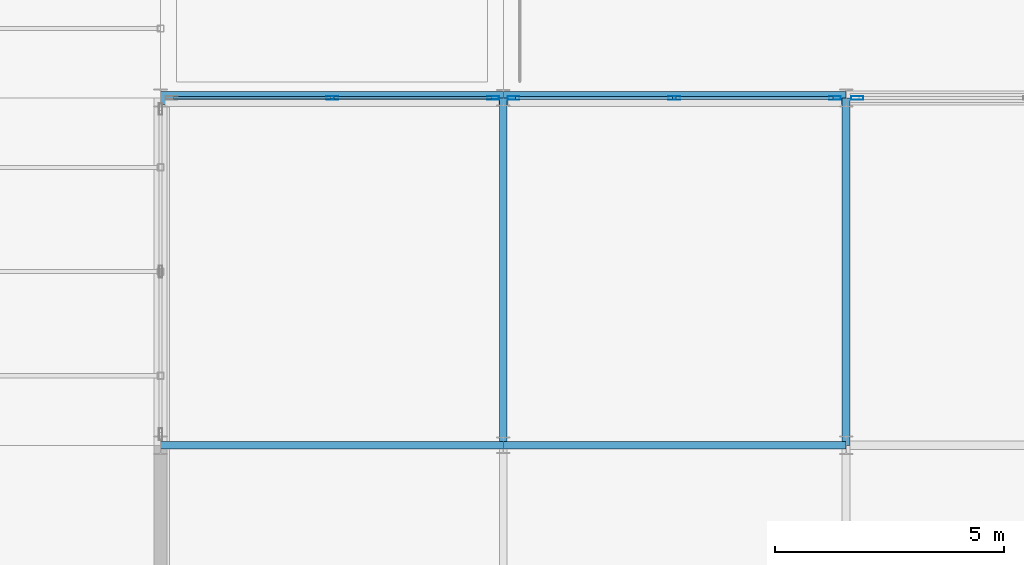
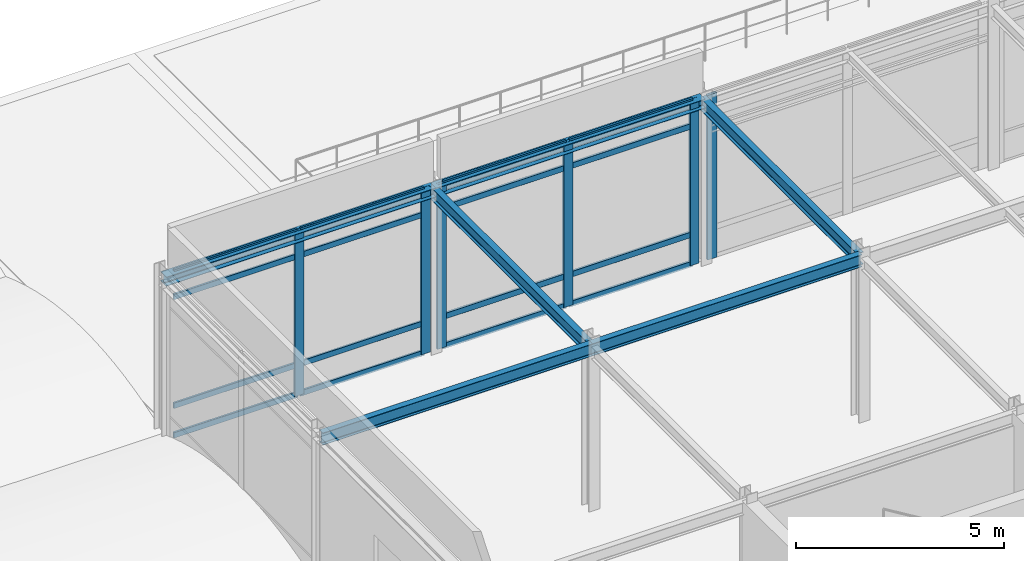
# One storey, part 37 of 79: 22 members, 6 beams, 3 elements without a shape of their own.
"""IFC4 building model written with IfcOpenShell, lengths in metres."""

import ifcopenshell
import ifcopenshell.guid

model = None  # the IFC model being written
_history = None  # IfcOwnerHistory: only IFC2X3 demands one
_inside = {}  # id of a spatial element -> (the spatial element, [elements in it])
_under = {}  # id of a project, library or spatial element -> (it, [spatial elements below it])
_declared = {}  # id of a project -> (the project, [libraries it declares])
_typed = {}  # id of a type object -> (the type object, [elements of that type])
_made_of = {}  # id of a material, layer set ... -> (it, [elements and type objects made of it])


def new_model(schema):
    """Start an empty IFC model of exactly this schema.

    Asked for "IFC4X3", IfcOpenShell would pick the latest addendum, in which some entities
    have other attributes; the version numbers below select the first issue.
    IFC2X3 requires an IfcOwnerHistory on every rooted entity: one is made here for all.
    """
    global model, _history
    if schema == "IFC4X3":
        model = ifcopenshell.file(schema_version=(4, 3, 0, 0))
    else:
        model = ifcopenshell.file(schema=schema)
    _inside.clear()
    _under.clear()
    _declared.clear()
    _typed.clear()
    _made_of.clear()
    _history = None
    if model.schema == "IFC2X3":
        org = make("IfcOrganization", Name="unknown")
        user = make(
            "IfcPersonAndOrganization",
            ThePerson=make("IfcPerson", FamilyName="unknown"),
            TheOrganization=org,
        )
        app = make(
            "IfcApplication",
            ApplicationDeveloper=org,
            Version="unknown",
            ApplicationFullName="unknown",
            ApplicationIdentifier="unknown",
        )
        _history = make(
            "IfcOwnerHistory",
            OwningUser=user,
            OwningApplication=app,
            ChangeAction="ADDED",
            CreationDate=0,
        )
    return model


def make(cls, **values):
    """One entity of the class cls with the attributes given. An attribute that is None is left unset."""
    return model.create_entity(
        cls, **{name: value for name, value in values.items() if value is not None}
    )


def rooted(cls, **values):
    """An entity with a GlobalId (a new one), such as an element, a storey or a relation."""
    return make(cls, GlobalId=ifcopenshell.guid.new(), OwnerHistory=_history, **values)


def si_unit(unit_type, name, prefix=None):
    """IfcSIUnit, for example si_unit("LENGTHUNIT", "METRE", prefix="MILLI")."""
    return make("IfcSIUnit", UnitType=unit_type, Prefix=prefix, Name=name)


def assignment(units):
    """IfcUnitAssignment: the units of a project."""
    return None if units is None else make("IfcUnitAssignment", Units=units)


def point(xyz):
    """IfcCartesianPoint."""
    return None if xyz is None else make("IfcCartesianPoint", Coordinates=xyz)


def direction(xyz):
    """IfcDirection."""
    return None if xyz is None else make("IfcDirection", DirectionRatios=xyz)


def frame(location, z_axis=None, x_axis=None):
    """IfcAxis2Placement3D, a coordinate frame: its origin and axes. An axis left out is left unset."""
    return make(
        "IfcAxis2Placement3D",
        Location=point(location),
        Axis=direction(z_axis),
        RefDirection=direction(x_axis),
    )


def frame_2d(location, x_axis=None):
    """IfcAxis2Placement2D, a coordinate frame in the plane: its origin and x axis."""
    return make(
        "IfcAxis2Placement2D", Location=point(location), RefDirection=direction(x_axis)
    )


def origin():
    """The frame at (0, 0, 0) with its axes left unset."""
    return frame((0.0, 0.0, 0.0))


def origin_2d():
    """The frame at (0, 0) in the plane with its x axis left unset."""
    return frame_2d((0.0, 0.0))


def place(relative_to, where):
    """IfcLocalPlacement: puts the frame where relative to a parent placement (None: the world)."""
    return make(
        "IfcLocalPlacement", PlacementRelTo=relative_to, RelativePlacement=where
    )


def context(
    kind, dimensions, precision=None, world=None, true_north=None, identifier=None
):
    """IfcGeometricRepresentationContext, for example the 3D "Model" context."""
    return make(
        "IfcGeometricRepresentationContext",
        ContextIdentifier=identifier,
        ContextType=kind,
        CoordinateSpaceDimension=dimensions,
        Precision=precision,
        WorldCoordinateSystem=world,
        TrueNorth=true_north,
    )


def subcontext(parent, identifier, kind, view, scale=None):
    """IfcGeometricRepresentationSubContext, for example "Body" below "Model"."""
    return make(
        "IfcGeometricRepresentationSubContext",
        ContextIdentifier=identifier,
        ContextType=kind,
        ParentContext=parent,
        TargetScale=scale,
        TargetView=view,
    )


def project(units=None, contexts=None):
    """IfcProject with its units and contexts."""
    return rooted(
        "IfcProject",
        Name="project",
        RepresentationContexts=contexts,
        UnitsInContext=assignment(units),
    )


def spatial(cls, under=None, at=None, **own):
    """A site, building, storey or space (cls), placed at a placement, below another one or the project."""
    s = rooted(cls, ObjectPlacement=at, **own)
    if under is not None:
        _under.setdefault(under.id(), (under, []))[1].append(s)
    return s


def profile(cls, at=None, kind="AREA", **sizes):
    """A parametric profile (cls). Its sizes go by their IFC names, for example OverallWidth=200.0."""
    return make(cls, ProfileType=kind, Position=at, **sizes)


def hollow_rectangle(**sizes):
    """IfcRectangleHollowProfileDef."""
    return profile("IfcRectangleHollowProfileDef", **sizes)


def i_section(**sizes):
    """IfcIShapeProfileDef."""
    return profile("IfcIShapeProfileDef", **sizes)


def extrude(swept, where, along, depth):
    """IfcExtrudedAreaSolid: the profile swept, set in the frame where, extruded along a direction by depth."""
    return make(
        "IfcExtrudedAreaSolid",
        SweptArea=swept,
        Position=where,
        ExtrudedDirection=direction(along),
        Depth=depth,
    )


def shape(context_of_items, identifier, shape_type, items):
    """IfcShapeRepresentation: the items that make up one representation, for example the "Body"."""
    return make(
        "IfcShapeRepresentation",
        ContextOfItems=context_of_items,
        RepresentationIdentifier=identifier,
        RepresentationType=shape_type,
        Items=items,
    )


def material(Name=None, Category=None):
    """IfcMaterial."""
    return make("IfcMaterial", Name=Name, Category=Category)


def layer(
    of_material, thickness, ventilated=None, Name=None, Category=None, Priority=None
):
    """IfcMaterialLayer: one layer of a wall or slab, of a material (None: an air gap)."""
    return make(
        "IfcMaterialLayer",
        Material=of_material,
        LayerThickness=thickness,
        IsVentilated=ventilated,
        Name=Name,
        Category=Category,
        Priority=Priority,
    )


def layer_set(layers, Name=None):
    """IfcMaterialLayerSet."""
    return make("IfcMaterialLayerSet", MaterialLayers=layers, LayerSetName=Name)


def material_profile(
    of_material, cross_section, Name=None, Category=None, Priority=None
):
    """IfcMaterialProfile: a cross section and its material."""
    return make(
        "IfcMaterialProfile",
        Name=Name,
        Material=of_material,
        Profile=cross_section,
        Priority=Priority,
        Category=Category,
    )


def profile_set(profiles, Name=None, composite=None):
    """IfcMaterialProfileSet."""
    return make(
        "IfcMaterialProfileSet",
        Name=Name,
        MaterialProfiles=profiles,
        CompositeProfile=composite,
    )


def made_of(thing, what):
    """Note that an element or type object is made of a material, layer set ...; save() writes the relation."""
    if what is not None:
        _made_of.setdefault(what.id(), (what, []))[1].append(thing)
    return thing


def type_object(cls, material=None, **own):
    """A type object (cls), such as IfcWallType, which elements share."""
    return made_of(rooted(cls, **own), material)


def element(
    cls,
    number,
    at=None,
    inside=None,
    cuts=None,
    type_object=None,
    material=None,
    context=None,
    identifier="Body",
    shape_type=None,
    held_by="IfcProductDefinitionShape",
    body=None,
    shapes=None,
    **own,
):
    """One element of the class cls, such as IfcWall. Its Tag is "e" and its number.

    at: its placement. inside: the storey or other place that contains it. cuts: it is an
    opening in that element (IfcRelVoidsElement). A single representation is given by context,
    identifier, shape_type and body (its items); several are given by shapes. held_by: the class
    of the entity that holds the representations. save() writes the other relations.
    """
    e = rooted(cls, Tag="e%d" % number, ObjectPlacement=at, **own)
    if body is not None:
        shapes = [shape(context, identifier, shape_type, body)]
    if shapes is not None:
        e.Representation = make(held_by, Representations=shapes)
    if inside is not None:
        _inside.setdefault(inside.id(), (inside, []))[1].append(e)
    if cuts is not None:
        rooted(
            "IfcRelVoidsElement", RelatingBuildingElement=cuts, RelatedOpeningElement=e
        )
    if type_object is not None:
        _typed.setdefault(type_object.id(), (type_object, []))[1].append(e)
    return made_of(e, material)


def aggregate(whole, parts):
    """IfcRelAggregates: a whole, such as a stair, and the parts it consists of."""
    return rooted("IfcRelAggregates", RelatingObject=whole, RelatedObjects=parts)


def save(model, path):
    """Write the relations noted so far, then the file.

    IfcRelAggregates (storeys below a building ...), IfcRelContainedInSpatialStructure (elements
    in a storey), IfcRelDefinesByType, IfcRelAssociatesMaterial and IfcRelDeclares: one each for
    every whole, place, type object, material and project.
    """
    for whole, parts in _under.values():
        aggregate(whole, parts)
    for where, things in _inside.values():
        rooted(
            "IfcRelContainedInSpatialStructure",
            RelatedElements=things,
            RelatingStructure=where,
        )
    for kind, things in _typed.values():
        rooted("IfcRelDefinesByType", RelatedObjects=things, RelatingType=kind)
    for what, things in _made_of.values():
        rooted("IfcRelAssociatesMaterial", RelatedObjects=things, RelatingMaterial=what)
    for by, libraries in _declared.values():
        rooted("IfcRelDeclares", RelatingContext=by, RelatedDefinitions=libraries)
    model.write(path)


model = new_model("IFC4")

# Units and contexts
model_context = context("Model", 3, precision=1e-05, world=origin(), true_north=direction((0.0, 1.0)))
body_context = subcontext(model_context, "Body", "Model", "MODEL_VIEW")
ifc_project = project(units=[si_unit("LENGTHUNIT", "METRE"), si_unit("AREAUNIT", "SQUARE_METRE"), si_unit("VOLUMEUNIT", "CUBIC_METRE"), si_unit("PLANEANGLEUNIT", "RADIAN"), si_unit("MASSUNIT", "GRAM", prefix="KILO")], contexts=[model_context])

# Site, building, storey
site_placement = place(None, origin())
site = spatial("IfcSite", under=ifc_project, at=site_placement, CompositionType="ELEMENT")
building_placement = place(site_placement, origin())
building = spatial("IfcBuilding", under=site, at=building_placement, Name="Shalkamar Park Central Library", CompositionType="ELEMENT")
storey_placement = place(building_placement, frame((0.0, 0.0, 10.5)))
storey = spatial("IfcBuildingStorey", under=building, at=storey_placement, Name="L03", CompositionType="ELEMENT", Elevation=10.5)

# Curtain wall, members
ifc_material_1 = material(Name="Thermally broken aluminium and triple low-e curtain wall", Category="aluminium")
ifc_layer_1 = layer(ifc_material_1, 0.260009765625)
ifc_layer_set_1 = layer_set([ifc_layer_1], Name="UnitisedCurtainWall_23")
curtain_wall_type_1 = type_object("IfcCurtainWallType", Name="Unitised Curtain Wall 23", PredefinedType="USERDEFINED", material=ifc_layer_set_1)
curtain_wall_1_placement = place(storey_placement, origin())
curtain_wall_1 = element("IfcCurtainWall", 1, at=curtain_wall_1_placement, inside=storey, type_object=curtain_wall_type_1, Name="Unitised Curtain Wall CW-L03-047", ObjectType="UNITISED CURTAIN WALL", PredefinedType="USERDEFINED")
ifc_material_2 = material(Name="Aluminium 6060-T66", Category="aluminium")
ifc_material_profile_1 = material_profile(ifc_material_2, hollow_rectangle(XDim=0.074951171875, YDim=0.260009765625, WallThickness=0.00439453125, InnerFilletRadius=0.00439453125, OuterFilletRadius=0.0068359375, at=origin_2d()), Name="ALU 75x260x4.5")
ifc_profile_set_1 = profile_set([ifc_material_profile_1], Name="Aluminium 6060-T66")
member_type_1 = type_object("IfcMemberType", Name="Curtain Wall Mullion ALU75x260", PredefinedType="MULLION", material=ifc_profile_set_1)
member_1_placement = place(storey_placement, frame((153.760009765625, 323.60009765625, 0.0), z_axis=(0.0, 0.0, 1.0), x_axis=(0.0, 1.0, 0.0)))
member_1 = element("IfcMember", 2, at=member_1_placement, type_object=member_type_1, Name="CW-23 mullion 2", PredefinedType="MULLION", context=body_context, shape_type="SweptSolid", body=[
    extrude(hollow_rectangle(XDim=0.074951171875, YDim=0.260009765625, WallThickness=0.00439453125, InnerFilletRadius=0.00439453125, OuterFilletRadius=0.0068359375, at=origin_2d()), origin(), (0.0, 0.0, 1.0), 4.85009765625),
])
member_2_placement = place(storey_placement, frame((157.278564453125, 323.60009765625, 0.0), z_axis=(0.0, 0.0, 1.0), x_axis=(0.0, 1.0, 0.0)))
member_2 = element("IfcMember", 3, at=member_2_placement, type_object=member_type_1, Name="CW-23 mullion 3", PredefinedType="MULLION", context=body_context, shape_type="SweptSolid", body=[
    extrude(hollow_rectangle(XDim=0.074951171875, YDim=0.260009765625, WallThickness=0.00439453125, InnerFilletRadius=0.00439453125, OuterFilletRadius=0.0068359375, at=origin_2d()), origin(), (0.0, 0.0, 1.0), 4.85009765625),
])

ifc_layer_2 = layer(ifc_material_1, 0.2548828125)
ifc_layer_set_2 = layer_set([ifc_layer_2], Name="UnitisedCurtainWall_41")
curtain_wall_type_2 = type_object("IfcCurtainWallType", Name="Unitised Curtain Wall 41", PredefinedType="USERDEFINED", material=ifc_layer_set_2)
curtain_wall_2_placement = place(storey_placement, origin())
curtain_wall_2 = element("IfcCurtainWall", 4, at=curtain_wall_2_placement, inside=storey, type_object=curtain_wall_type_2, Name="Unitised Curtain Wall CW-L03-048", ObjectType="UNITISED CURTAIN WALL", PredefinedType="USERDEFINED")
ifc_material_profile_2 = material_profile(ifc_material_2, hollow_rectangle(XDim=0.080078125, YDim=0.2548828125, WallThickness=0.00439453125, InnerFilletRadius=0.00439453125, OuterFilletRadius=0.0068359375, at=origin_2d()), Name="ALU 80x255x4.5")
ifc_profile_set_2 = profile_set([ifc_material_profile_2], Name="Aluminium 6060-T66")
member_type_2 = type_object("IfcMemberType", Name="Curtain Wall Mullion ALU80x255", PredefinedType="MULLION", material=ifc_profile_set_2)
member_3_placement = place(storey_placement, frame((157.72412109375, 323.60009765625, 0.0), z_axis=(0.0, 0.0, 1.0), x_axis=(0.0, 1.0, 0.0)))
member_3 = element("IfcMember", 5, at=member_3_placement, type_object=member_type_2, Name="CW-41 mullion 1", PredefinedType="MULLION", context=body_context, shape_type="SweptSolid", body=[
    extrude(hollow_rectangle(XDim=0.080078125, YDim=0.2548828125, WallThickness=0.00439453125, InnerFilletRadius=0.00439453125, OuterFilletRadius=0.0068359375, at=origin_2d()), origin(), (0.0, 0.0, 1.0), 4.840087890625),
])
member_4_placement = place(storey_placement, frame((161.239990234375, 323.60009765625, 0.0), z_axis=(0.0, 0.0, 1.0), x_axis=(0.0, 1.0, 0.0)))
member_4 = element("IfcMember", 6, at=member_4_placement, type_object=member_type_2, Name="CW-41 mullion 2", PredefinedType="MULLION", context=body_context, shape_type="SweptSolid", body=[
    extrude(hollow_rectangle(XDim=0.080078125, YDim=0.2548828125, WallThickness=0.00439453125, InnerFilletRadius=0.00439453125, OuterFilletRadius=0.0068359375, at=origin_2d()), origin(), (0.0, 0.0, 1.0), 4.840087890625),
])
member_5_placement = place(storey_placement, frame((164.756103515625, 323.60009765625, 0.0), z_axis=(0.0, 0.0, 1.0), x_axis=(0.0, 1.0, 0.0)))
member_5 = element("IfcMember", 7, at=member_5_placement, type_object=member_type_2, Name="CW-41 mullion 3", PredefinedType="MULLION", context=body_context, shape_type="SweptSolid", body=[
    extrude(hollow_rectangle(XDim=0.080078125, YDim=0.2548828125, WallThickness=0.00439453125, InnerFilletRadius=0.00439453125, OuterFilletRadius=0.0068359375, at=origin_2d()), origin(), (0.0, 0.0, 1.0), 4.840087890625),
])

# Curtain wall, member
ifc_layer_3 = layer(ifc_material_1, 0.27001953125)
ifc_layer_set_3 = layer_set([ifc_layer_3], Name="UnitisedCurtainWall_42")
curtain_wall_type_3 = type_object("IfcCurtainWallType", Name="Unitised Curtain Wall 42", PredefinedType="USERDEFINED", material=ifc_layer_set_3)
curtain_wall_3_placement = place(storey_placement, origin())
curtain_wall_3 = element("IfcCurtainWall", 8, at=curtain_wall_3_placement, inside=storey, type_object=curtain_wall_type_3, Name="Unitised Curtain Wall CW-L03-049", ObjectType="UNITISED CURTAIN WALL", PredefinedType="USERDEFINED")
ifc_material_profile_3 = material_profile(ifc_material_2, hollow_rectangle(XDim=0.080078125, YDim=0.27001953125, WallThickness=0.0048828125, InnerFilletRadius=0.0048828125, OuterFilletRadius=0.007568359375, at=origin_2d()), Name="ALU 80x270x5")
ifc_profile_set_3 = profile_set([ifc_material_profile_3], Name="Aluminium 6060-T66")
member_type_3 = type_object("IfcMemberType", Name="Curtain Wall Mullion ALU80x270", PredefinedType="MULLION", material=ifc_profile_set_3)
member_6_placement = place(storey_placement, frame((165.243896484375, 323.60009765625, 0.0), z_axis=(0.0, 0.0, 1.0), x_axis=(0.0, 1.0, 0.0)))
member_6 = element("IfcMember", 9, at=member_6_placement, type_object=member_type_3, Name="CW-42 mullion 1", PredefinedType="MULLION", context=body_context, shape_type="SweptSolid", body=[
    extrude(hollow_rectangle(XDim=0.080078125, YDim=0.27001953125, WallThickness=0.0048828125, InnerFilletRadius=0.0048828125, OuterFilletRadius=0.007568359375, at=origin_2d()), origin(), (0.0, 0.0, 1.0), 4.840087890625),
])
aggregate(curtain_wall_3, [member_6])

# Member
ifc_material_profile_4 = material_profile(ifc_material_2, hollow_rectangle(XDim=0.06005859375, YDim=0.1650390625, WallThickness=0.00390625, InnerFilletRadius=0.00390625, OuterFilletRadius=0.006103515625, at=origin_2d()), Name="ALU 60x165x4")
ifc_profile_set_4 = profile_set([ifc_material_profile_4], Name="Aluminium 6060-T66")
member_type_4 = type_object("IfcMemberType", Name="Curtain Wall Transom ALU60x165", PredefinedType="USERDEFINED", material=ifc_profile_set_4)
member_7_placement = place(storey_placement, frame((150.279052734375, 323.60009765625, 0.030029296875), z_axis=(1.0, 0.0, 0.0), x_axis=(0.0, 1.0, 0.0)))
member_7 = element("IfcMember", 10, at=member_7_placement, type_object=member_type_4, Name="CW-23 transom 1.1", ObjectType="TRANSOM", PredefinedType="USERDEFINED", context=body_context, shape_type="SweptSolid", body=[
    extrude(hollow_rectangle(XDim=0.06005859375, YDim=0.1650390625, WallThickness=0.00390625, InnerFilletRadius=0.00390625, OuterFilletRadius=0.006103515625, at=origin_2d()), origin(), (0.0, 0.0, 1.0), 3.443359375),
])

member_8_placement = place(storey_placement, frame((150.279052734375, 323.60009765625, 0.89990234375), z_axis=(1.0, 0.0, 0.0), x_axis=(0.0, 1.0, 0.0)))
member_8 = element("IfcMember", 11, at=member_8_placement, type_object=member_type_4, Name="CW-23 transom 1.2", ObjectType="TRANSOM", PredefinedType="USERDEFINED", context=body_context, shape_type="SweptSolid", body=[
    extrude(hollow_rectangle(XDim=0.06005859375, YDim=0.1650390625, WallThickness=0.00390625, InnerFilletRadius=0.00390625, OuterFilletRadius=0.006103515625, at=origin_2d()), origin(), (0.0, 0.0, 1.0), 3.443359375),
])

member_9_placement = place(storey_placement, frame((150.279052734375, 323.60009765625, 4.10009765625), z_axis=(1.0, 0.0, 0.0), x_axis=(0.0, 1.0, 0.0)))
member_9 = element("IfcMember", 12, at=member_9_placement, type_object=member_type_4, Name="CW-23 transom 1.3", ObjectType="TRANSOM", PredefinedType="USERDEFINED", context=body_context, shape_type="SweptSolid", body=[
    extrude(hollow_rectangle(XDim=0.06005859375, YDim=0.1650390625, WallThickness=0.00390625, InnerFilletRadius=0.00390625, OuterFilletRadius=0.006103515625, at=origin_2d()), origin(), (0.0, 0.0, 1.0), 3.443359375),
])

member_10_placement = place(storey_placement, frame((150.279052734375, 323.60009765625, 4.820068359375), z_axis=(1.0, 0.0, 0.0), x_axis=(0.0, 1.0, 0.0)))
member_10 = element("IfcMember", 13, at=member_10_placement, type_object=member_type_4, Name="CW-23 transom 1.4", ObjectType="TRANSOM", PredefinedType="USERDEFINED", context=body_context, shape_type="SweptSolid", body=[
    extrude(hollow_rectangle(XDim=0.06005859375, YDim=0.1650390625, WallThickness=0.00390625, InnerFilletRadius=0.00390625, OuterFilletRadius=0.006103515625, at=origin_2d()), origin(), (0.0, 0.0, 1.0), 3.443359375),
])

member_11_placement = place(storey_placement, frame((153.797607421875, 323.60009765625, 0.030029296875), z_axis=(1.0, 0.0, 0.0), x_axis=(0.0, 1.0, 0.0)))
member_11 = element("IfcMember", 14, at=member_11_placement, type_object=member_type_4, Name="CW-23 transom 2.1", ObjectType="TRANSOM", PredefinedType="USERDEFINED", context=body_context, shape_type="SweptSolid", body=[
    extrude(hollow_rectangle(XDim=0.06005859375, YDim=0.1650390625, WallThickness=0.00390625, InnerFilletRadius=0.00390625, OuterFilletRadius=0.006103515625, at=origin_2d()), origin(), (0.0, 0.0, 1.0), 3.443359375),
])

member_12_placement = place(storey_placement, frame((153.797607421875, 323.60009765625, 0.89990234375), z_axis=(1.0, 0.0, 0.0), x_axis=(0.0, 1.0, 0.0)))
member_12 = element("IfcMember", 15, at=member_12_placement, type_object=member_type_4, Name="CW-23 transom 2.2", ObjectType="TRANSOM", PredefinedType="USERDEFINED", context=body_context, shape_type="SweptSolid", body=[
    extrude(hollow_rectangle(XDim=0.06005859375, YDim=0.1650390625, WallThickness=0.00390625, InnerFilletRadius=0.00390625, OuterFilletRadius=0.006103515625, at=origin_2d()), origin(), (0.0, 0.0, 1.0), 3.443359375),
])

member_13_placement = place(storey_placement, frame((153.797607421875, 323.60009765625, 4.10009765625), z_axis=(1.0, 0.0, 0.0), x_axis=(0.0, 1.0, 0.0)))
member_13 = element("IfcMember", 16, at=member_13_placement, type_object=member_type_4, Name="CW-23 transom 2.3", ObjectType="TRANSOM", PredefinedType="USERDEFINED", context=body_context, shape_type="SweptSolid", body=[
    extrude(hollow_rectangle(XDim=0.06005859375, YDim=0.1650390625, WallThickness=0.00390625, InnerFilletRadius=0.00390625, OuterFilletRadius=0.006103515625, at=origin_2d()), origin(), (0.0, 0.0, 1.0), 3.443359375),
])

member_14_placement = place(storey_placement, frame((153.797607421875, 323.60009765625, 4.820068359375), z_axis=(1.0, 0.0, 0.0), x_axis=(0.0, 1.0, 0.0)))
member_14 = element("IfcMember", 17, at=member_14_placement, type_object=member_type_4, Name="CW-23 transom 2.4", ObjectType="TRANSOM", PredefinedType="USERDEFINED", context=body_context, shape_type="SweptSolid", body=[
    extrude(hollow_rectangle(XDim=0.06005859375, YDim=0.1650390625, WallThickness=0.00390625, InnerFilletRadius=0.00390625, OuterFilletRadius=0.006103515625, at=origin_2d()), origin(), (0.0, 0.0, 1.0), 3.443359375),
])

aggregate(curtain_wall_1, [member_1, member_2, member_7, member_8, member_9, member_10, member_11, member_12, member_13, member_14])

ifc_material_profile_5 = material_profile(ifc_material_2, hollow_rectangle(XDim=0.06494140625, YDim=0.169921875, WallThickness=0.00390625, InnerFilletRadius=0.00390625, OuterFilletRadius=0.006103515625, at=origin_2d()), Name="ALU 65x170x4")
ifc_profile_set_5 = profile_set([ifc_material_profile_5], Name="Aluminium 6060-T66")
member_type_5 = type_object("IfcMemberType", Name="Curtain Wall Transom ALU65x170", PredefinedType="USERDEFINED", material=ifc_profile_set_5)
member_15_placement = place(storey_placement, frame((157.763916015625, 323.60009765625, 0.032470703125), z_axis=(1.0, 0.0, 0.0), x_axis=(0.0, 1.0, 0.0)))
member_15 = element("IfcMember", 18, at=member_15_placement, type_object=member_type_5, Name="CW-41 transom 1.1", ObjectType="TRANSOM", PredefinedType="USERDEFINED", context=body_context, shape_type="SweptSolid", body=[
    extrude(hollow_rectangle(XDim=0.06494140625, YDim=0.169921875, WallThickness=0.00390625, InnerFilletRadius=0.00390625, OuterFilletRadius=0.006103515625, at=origin_2d()), origin(), (0.0, 0.0, 1.0), 3.43603515625),
])

member_16_placement = place(storey_placement, frame((157.763916015625, 323.60009765625, 0.89990234375), z_axis=(1.0, 0.0, 0.0), x_axis=(0.0, 1.0, 0.0)))
member_16 = element("IfcMember", 19, at=member_16_placement, type_object=member_type_5, Name="CW-41 transom 1.2", ObjectType="TRANSOM", PredefinedType="USERDEFINED", context=body_context, shape_type="SweptSolid", body=[
    extrude(hollow_rectangle(XDim=0.06494140625, YDim=0.169921875, WallThickness=0.00390625, InnerFilletRadius=0.00390625, OuterFilletRadius=0.006103515625, at=origin_2d()), origin(), (0.0, 0.0, 1.0), 3.43603515625),
])

member_17_placement = place(storey_placement, frame((157.763916015625, 323.60009765625, 4.090087890625), z_axis=(1.0, 0.0, 0.0), x_axis=(0.0, 1.0, 0.0)))
member_17 = element("IfcMember", 20, at=member_17_placement, type_object=member_type_5, Name="CW-41 transom 1.3", ObjectType="TRANSOM", PredefinedType="USERDEFINED", context=body_context, shape_type="SweptSolid", body=[
    extrude(hollow_rectangle(XDim=0.06494140625, YDim=0.169921875, WallThickness=0.00390625, InnerFilletRadius=0.00390625, OuterFilletRadius=0.006103515625, at=origin_2d()), origin(), (0.0, 0.0, 1.0), 3.43603515625),
])

member_18_placement = place(storey_placement, frame((157.763916015625, 323.60009765625, 4.8076171875), z_axis=(1.0, 0.0, 0.0), x_axis=(0.0, 1.0, 0.0)))
member_18 = element("IfcMember", 21, at=member_18_placement, type_object=member_type_5, Name="CW-41 transom 1.4", ObjectType="TRANSOM", PredefinedType="USERDEFINED", context=body_context, shape_type="SweptSolid", body=[
    extrude(hollow_rectangle(XDim=0.06494140625, YDim=0.169921875, WallThickness=0.00390625, InnerFilletRadius=0.00390625, OuterFilletRadius=0.006103515625, at=origin_2d()), origin(), (0.0, 0.0, 1.0), 3.43603515625),
])

member_19_placement = place(storey_placement, frame((161.280029296875, 323.60009765625, 0.032470703125), z_axis=(1.0, 0.0, 0.0), x_axis=(0.0, 1.0, 0.0)))
member_19 = element("IfcMember", 22, at=member_19_placement, type_object=member_type_5, Name="CW-41 transom 2.1", ObjectType="TRANSOM", PredefinedType="USERDEFINED", context=body_context, shape_type="SweptSolid", body=[
    extrude(hollow_rectangle(XDim=0.06494140625, YDim=0.169921875, WallThickness=0.00390625, InnerFilletRadius=0.00390625, OuterFilletRadius=0.006103515625, at=origin_2d()), origin(), (0.0, 0.0, 1.0), 3.43603515625),
])

member_20_placement = place(storey_placement, frame((161.280029296875, 323.60009765625, 0.89990234375), z_axis=(1.0, 0.0, 0.0), x_axis=(0.0, 1.0, 0.0)))
member_20 = element("IfcMember", 23, at=member_20_placement, type_object=member_type_5, Name="CW-41 transom 2.2", ObjectType="TRANSOM", PredefinedType="USERDEFINED", context=body_context, shape_type="SweptSolid", body=[
    extrude(hollow_rectangle(XDim=0.06494140625, YDim=0.169921875, WallThickness=0.00390625, InnerFilletRadius=0.00390625, OuterFilletRadius=0.006103515625, at=origin_2d()), origin(), (0.0, 0.0, 1.0), 3.43603515625),
])

member_21_placement = place(storey_placement, frame((161.280029296875, 323.60009765625, 4.090087890625), z_axis=(1.0, 0.0, 0.0), x_axis=(0.0, 1.0, 0.0)))
member_21 = element("IfcMember", 24, at=member_21_placement, type_object=member_type_5, Name="CW-41 transom 2.3", ObjectType="TRANSOM", PredefinedType="USERDEFINED", context=body_context, shape_type="SweptSolid", body=[
    extrude(hollow_rectangle(XDim=0.06494140625, YDim=0.169921875, WallThickness=0.00390625, InnerFilletRadius=0.00390625, OuterFilletRadius=0.006103515625, at=origin_2d()), origin(), (0.0, 0.0, 1.0), 3.43603515625),
])

member_22_placement = place(storey_placement, frame((161.280029296875, 323.60009765625, 4.8076171875), z_axis=(1.0, 0.0, 0.0), x_axis=(0.0, 1.0, 0.0)))
member_22 = element("IfcMember", 25, at=member_22_placement, type_object=member_type_5, Name="CW-41 transom 2.4", ObjectType="TRANSOM", PredefinedType="USERDEFINED", context=body_context, shape_type="SweptSolid", body=[
    extrude(hollow_rectangle(XDim=0.06494140625, YDim=0.169921875, WallThickness=0.00390625, InnerFilletRadius=0.00390625, OuterFilletRadius=0.006103515625, at=origin_2d()), origin(), (0.0, 0.0, 1.0), 3.43603515625),
])

aggregate(curtain_wall_2, [member_3, member_4, member_5, member_15, member_16, member_17, member_18, member_19, member_20, member_21, member_22])

# Beams
ifc_material_3 = material(Name="Steel S355", Category="steel")
ifc_material_profile_6 = material_profile(ifc_material_3, i_section(OverallWidth=0.280029296875, OverallDepth=0.27001953125, WebThickness=0.008056640625, FlangeThickness=0.012939453125, FilletRadius=0.02392578125, at=origin_2d()), Name="HEA 280")
ifc_profile_set_6 = profile_set([ifc_material_profile_6], Name="Steel S355")
beam_type_1 = type_object("IfcBeamType", Name="Perimeter Spandrel Beam HEA280", PredefinedType="SPANDREL", material=ifc_profile_set_6)
for number, where, z_axis, x_axis, name in (
    (26, (150.0, 323.60009765625, 4.715087890625), (1.0, 0.0, 0.0), (0.0, 1.0, 0.0), "Beam M:05-06 (L03)"),
    (27, (157.5, 323.60009765625, 4.705078125), (1.0, 0.0, 0.0), (0.0, 1.0, 0.0), "Beam M:06-07 (L03)"),
):
    element("IfcBeam", number, at=place(storey_placement, frame(where, z_axis=z_axis, x_axis=x_axis)), inside=storey, type_object=beam_type_1, Name=name, PredefinedType="SPANDREL", context=body_context, shape_type="SweptSolid", body=[
        extrude(i_section(OverallWidth=0.280029296875, OverallDepth=0.27001953125, WebThickness=0.008056640625, FlangeThickness=0.012939453125, FilletRadius=0.02392578125, at=origin_2d()), origin(), (0.0, 0.0, 1.0), 7.5),
    ])
ifc_material_profile_7 = material_profile(ifc_material_3, i_section(OverallWidth=0.169921875, OverallDepth=0.360107421875, WebThickness=0.008056640625, FlangeThickness=0.0126953125, FilletRadius=0.01806640625, at=origin_2d()), Name="IPE 360")
ifc_profile_set_7 = profile_set([ifc_material_profile_7], Name="Steel S355")
beam_type_2 = type_object("IfcBeamType", Name="Primary Girder IPE360", PredefinedType="BEAM", material=ifc_profile_set_7)
for number, where, z_axis, x_axis, name in (
    (28, (150.0, 316.0, 4.659912109375), (1.0, 0.0, 0.0), (0.0, 1.0, 0.0), "Beam L:05-06 (L03)"),
    (29, (157.5, 316.0, 4.659912109375), (1.0, 0.0, 0.0), (0.0, 1.0, 0.0), "Beam L:06-07 (L03)"),
):
    element("IfcBeam", number, at=place(storey_placement, frame(where, z_axis=z_axis, x_axis=x_axis)), inside=storey, type_object=beam_type_2, Name=name, PredefinedType="BEAM", context=body_context, shape_type="SweptSolid", body=[
        extrude(i_section(OverallWidth=0.169921875, OverallDepth=0.360107421875, WebThickness=0.008056640625, FlangeThickness=0.0126953125, FilletRadius=0.01806640625, at=origin_2d()), origin(), (0.0, 0.0, 1.0), 7.5),
    ])
for number, where, z_axis, x_axis, name in (
    (30, (157.5, 316.0, 4.659912109375), (0.0, 1.0, 0.0), (-1.0, 0.0, 0.0), "Beam 06:L-M (L03)"),
    (31, (165.0, 316.0, 4.659912109375), (0.0, 1.0, 0.0), (-1.0, 0.0, 0.0), "Beam 07:L-M (L03)"),
):
    element("IfcBeam", number, at=place(storey_placement, frame(where, z_axis=z_axis, x_axis=x_axis)), inside=storey, type_object=beam_type_2, Name=name, PredefinedType="BEAM", context=body_context, shape_type="SweptSolid", body=[
        extrude(i_section(OverallWidth=0.169921875, OverallDepth=0.360107421875, WebThickness=0.008056640625, FlangeThickness=0.0126953125, FilletRadius=0.01806640625, at=origin_2d()), origin(), (0.0, 0.0, 1.0), 7.60009765625),
    ])

save(model, "model.ifc")
